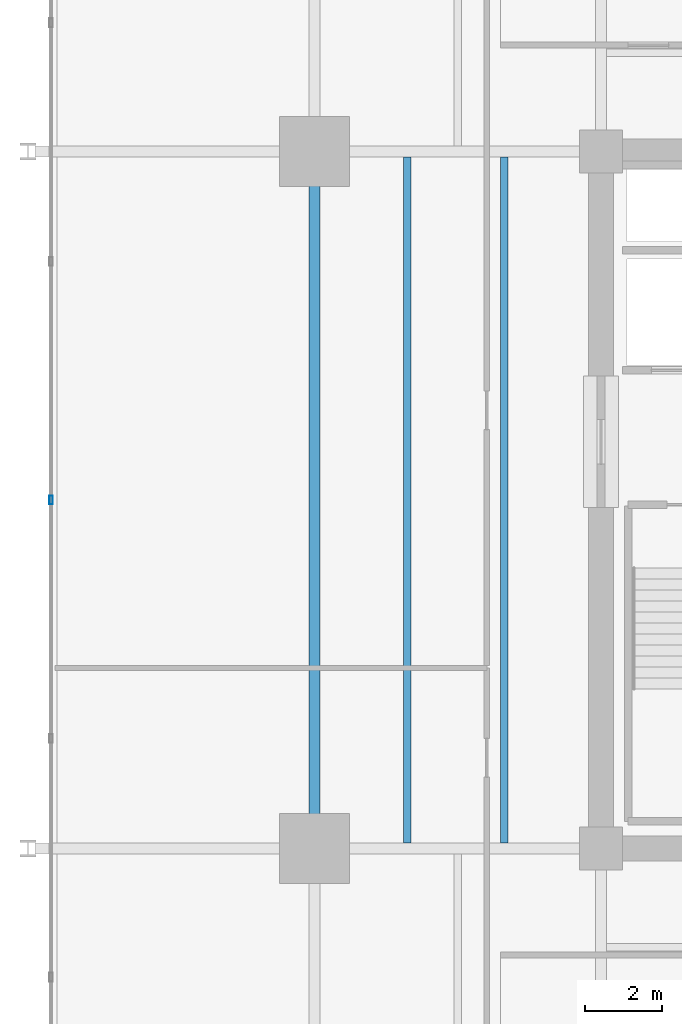
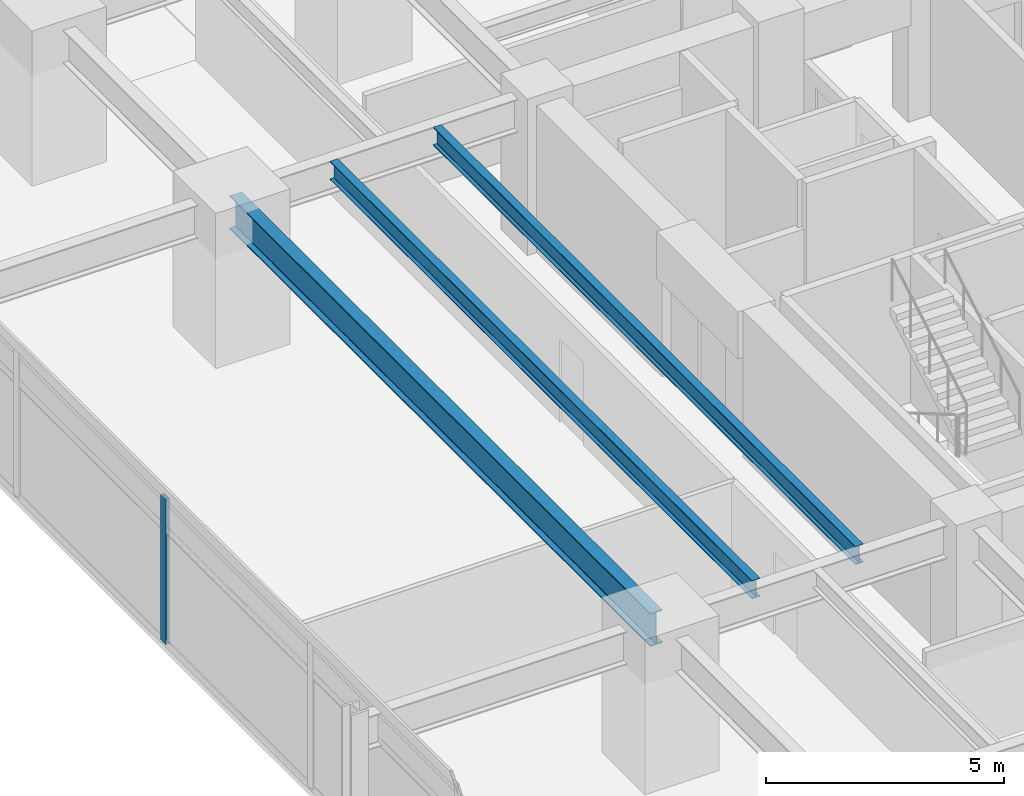
# One storey, part 6 of 20: 3 beams, 1 member, 1 element without a shape of its own.
"""IFC4 building model written with IfcOpenShell, lengths in metres."""

from ifc_helpers import new_model, si_unit, direction, frame, origin, origin_2d, place, context, subcontext, project, spatial, hollow_rectangle, i_section, extrude, material, material_profile, profile_set, type_object, element, aggregate, save


model = new_model("IFC4")

# Units and contexts
model_context = context("Model", 3, precision=1e-05, world=origin(), true_north=direction((0.0, 1.0)))
body_context = subcontext(model_context, "Body", "Model", "MODEL_VIEW")
ifc_project = project(units=[si_unit("LENGTHUNIT", "METRE"), si_unit("AREAUNIT", "SQUARE_METRE"), si_unit("VOLUMEUNIT", "CUBIC_METRE"), si_unit("PLANEANGLEUNIT", "RADIAN"), si_unit("MASSUNIT", "GRAM", prefix="KILO")], contexts=[model_context])

# Site, building, storey
site_placement = place(None, origin())
site = spatial("IfcSite", under=ifc_project, at=site_placement, CompositionType="ELEMENT")
building_placement = place(site_placement, origin())
building = spatial("IfcBuilding", under=site, at=building_placement, Name="Kovane Verandah Tower", CompositionType="ELEMENT")
storey_placement = place(building_placement, frame((0.0, 0.0, 39.60009765625)))
storey = spatial("IfcBuildingStorey", under=building, at=storey_placement, Name="L08", CompositionType="ELEMENT", Elevation=39.60009765625)

# Beam
ifc_material_1 = material(Name="Steel S355", Category="steel")
ifc_material_profile_1 = material_profile(ifc_material_1, i_section(OverallWidth=0.293701171875, OverallDepth=0.850830078125, WebThickness=0.01611328125, FlangeThickness=0.02685546875, FilletRadius=0.017822265625, at=origin_2d()), Name="UB838x292x226")
ifc_profile_set_1 = profile_set([ifc_material_profile_1], Name="Steel S355")
beam_type_1 = type_object("IfcBeamType", Name="BM-UB838x226", PredefinedType="BEAM", material=ifc_profile_set_1)
beam_placement = place(storey_placement, frame((21.60009765625, 18.679931640625, 3.33447265625), z_axis=(0.0, 1.0, 0.0), x_axis=(-1.0, 0.0, 0.0)))
element("IfcBeam", 1, at=beam_placement, inside=storey, type_object=beam_type_1, Name="L08 Primary Tower Girder G-RW2", PredefinedType="BEAM", context=body_context, shape_type="SweptSolid", body=[
    extrude(i_section(OverallWidth=0.293701171875, OverallDepth=0.850830078125, WebThickness=0.01611328125, FlangeThickness=0.02685546875, FilletRadius=0.017822265625, at=origin_2d()), origin(), (0.0, 0.0, 1.0), 17.64013671875),
])

# Curtain wall, member
ifc_material_2 = material(Name="Champagne Anodised Aluminium Frame with Low-E Clear Laminated Glass", Category="aluminium")
curtain_wall_type = type_object("IfcCurtainWallType", Name="CW-SYS-02-LOW", PredefinedType="NOTDEFINED", material=ifc_material_2)
curtain_wall_placement = place(storey_placement, origin())
curtain_wall = element("IfcCurtainWall", 2, at=curtain_wall_placement, inside=storey, type_object=curtain_wall_type, Name="L08 W Unitised Curtain Wall", PredefinedType="NOTDEFINED")
ifc_material_3 = material(Name="Champagne Anodised Aluminium 6063-T6", Category="aluminium")
ifc_material_profile_2 = material_profile(ifc_material_3, hollow_rectangle(XDim=0.0849609375, YDim=0.22998046875, WallThickness=0.00390625, at=origin_2d()), Name="AL85x230x4")
ifc_profile_set_2 = profile_set([ifc_material_profile_2], Name="Champagne Anodised Aluminium 6063-T6")
member_type = type_object("IfcMemberType", Name="CW-MUL-85x230", PredefinedType="MULLION", material=ifc_profile_set_2)
member_placement = place(storey_placement, frame((14.796875, 27.5, 0.02001953125), z_axis=(0.0, 0.0, 1.0), x_axis=(-1.0, 0.0, 0.0)))
member = element("IfcMember", 3, at=member_placement, type_object=member_type, Name="L08 W Unitised Curtain Wall Mullion 4", PredefinedType="MULLION", context=body_context, shape_type="SweptSolid", body=[
    extrude(hollow_rectangle(XDim=0.0849609375, YDim=0.22998046875, WallThickness=0.00390625, at=origin_2d()), origin(), (0.0, 0.0, 1.0), 3.719970703125),
])
aggregate(curtain_wall, [member])

# Beams
ifc_material_profile_3 = material_profile(ifc_material_1, i_section(OverallWidth=0.19287109375, OverallDepth=0.46728515625, WebThickness=0.011474609375, FlangeThickness=0.01953125, FilletRadius=0.01025390625, at=origin_2d()), Name="UB457x191x98")
ifc_profile_set_3 = profile_set([ifc_material_profile_3], Name="Steel S355")
beam_type_2 = type_object("IfcBeamType", Name="JST-UB457x98", PredefinedType="JOIST", material=ifc_profile_set_3)
for number, where, z_axis, x_axis, name in (
    (4, (24.0, 18.64501953125, 3.5263671875), (0.0, 1.0, 0.0), (-1.0, 0.0, 0.0), "L08 Secondary Composite Joist J-W1"),
    (5, (26.5, 18.64501953125, 3.5263671875), (0.0, 1.0, 0.0), (-1.0, 0.0, 0.0), "L08 Secondary Composite Joist J-W2"),
):
    element("IfcBeam", number, at=place(storey_placement, frame(where, z_axis=z_axis, x_axis=x_axis)), inside=storey, type_object=beam_type_2, Name=name, PredefinedType="JOIST", context=body_context, shape_type="SweptSolid", body=[
        extrude(i_section(OverallWidth=0.19287109375, OverallDepth=0.46728515625, WebThickness=0.011474609375, FlangeThickness=0.01953125, FilletRadius=0.01025390625, at=origin_2d()), origin(), (0.0, 0.0, 1.0), 17.7099609375),
    ])

save(model, "model.ifc")
